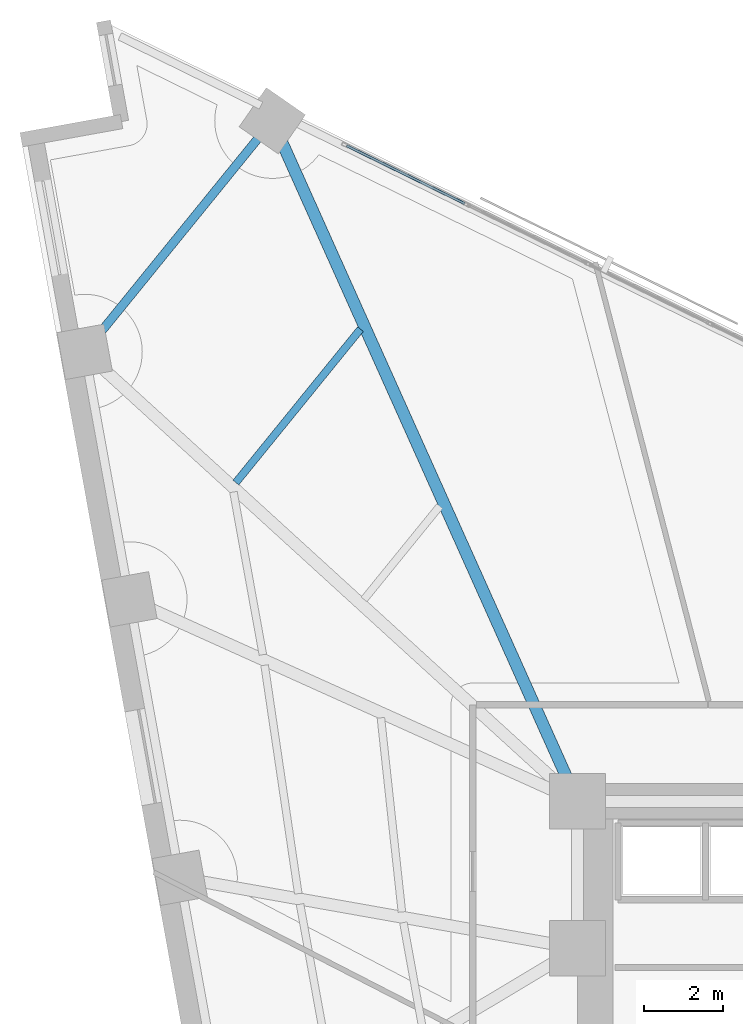
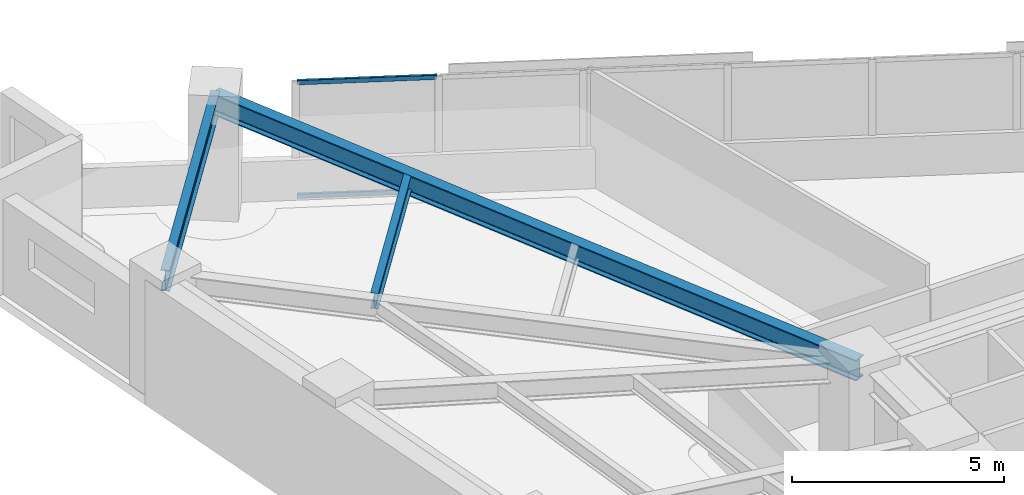
# One storey, part 9 of 19: 3 beams, 2 members, 1 element without a shape of its own.
"""IFC4 building model written with IfcOpenShell, lengths in metres."""

from ifc_helpers import new_model, si_unit, direction, frame, origin, origin_2d, place, context, subcontext, project, spatial, hollow_rectangle, i_section, extrude, material, material_profile, profile_set, type_object, element, aggregate, save


model = new_model("IFC4")

# Units and contexts
model_context = context("Model", 3, precision=1e-05, world=origin(), true_north=direction((0.0, 1.0)))
body_context = subcontext(model_context, "Body", "Model", "MODEL_VIEW")
ifc_project = project(units=[si_unit("LENGTHUNIT", "METRE"), si_unit("AREAUNIT", "SQUARE_METRE"), si_unit("VOLUMEUNIT", "CUBIC_METRE"), si_unit("PLANEANGLEUNIT", "RADIAN"), si_unit("MASSUNIT", "GRAM", prefix="KILO")], contexts=[model_context])

# Site, building, storey
site_placement = place(None, origin())
site = spatial("IfcSite", under=ifc_project, at=site_placement, CompositionType="ELEMENT")
building_placement = place(site_placement, origin())
building = spatial("IfcBuilding", under=site, at=building_placement, Name="Narakoshi Arena Tower", CompositionType="ELEMENT")
storey_placement = place(building_placement, frame((0.0, 0.0, 113.699951171875)))
storey = spatial("IfcBuildingStorey", under=building, at=storey_placement, Name="L30", CompositionType="ELEMENT", Elevation=113.699951171875)

# Beams
ifc_material_1 = material(Name="Structural steel S355J2", Category="steel")
ifc_material_profile_1 = material_profile(ifc_material_1, i_section(OverallWidth=0.219970703125, OverallDepth=0.60009765625, WebThickness=0.011962890625, FlangeThickness=0.01904296875, FilletRadius=0.02392578125, at=origin_2d()), Name="IPE600")
ifc_profile_set_1 = profile_set([ifc_material_profile_1], Name="Structural steel S355J2")
beam_type_1 = type_object("IfcBeamType", Name="BM-EDGE-600", PredefinedType="BEAM", material=ifc_profile_set_1)
beam_1_placement = place(storey_placement, frame((64.31787109375, 73.633056640625, 3.0400390625), z_axis=(-0.630427035182, -0.776248512598, 0.0), x_axis=(0.776248512598, -0.630427035182, 0.0)))
element("IfcBeam", 1, at=beam_1_placement, inside=storey, type_object=beam_type_1, Name="L30 Perimeter Edge Girder 09", PredefinedType="BEAM", context=body_context, shape_type="SweptSolid", body=[
    extrude(i_section(OverallWidth=0.219970703125, OverallDepth=0.60009765625, WebThickness=0.011962890625, FlangeThickness=0.01904296875, FilletRadius=0.02392578125, at=origin_2d()), origin(), (0.0, 0.0, 1.0), 7.493896484375),
])
ifc_material_profile_2 = material_profile(ifc_material_1, i_section(OverallWidth=0.300048828125, OverallDepth=0.60009765625, WebThickness=0.015380859375, FlangeThickness=0.030029296875, FilletRadius=0.027099609375, at=origin_2d()), Name="HE600B")
ifc_profile_set_2 = profile_set([ifc_material_profile_2], Name="Structural steel S355J2")
beam_type_2 = type_object("IfcBeamType", Name="BM-PRI-600", PredefinedType="BEAM", material=ifc_profile_set_2)
beam_2_placement = place(storey_placement, frame((72.0, 56.5, 3.0400390625), z_axis=(-0.409135423529, 0.91247367371, 0.0), x_axis=(-0.91247367371, -0.409135423529, 0.0)))
element("IfcBeam", 2, at=beam_2_placement, inside=storey, type_object=beam_type_2, Name="L30 Radial Primary Floor Girder 09", PredefinedType="BEAM", context=body_context, shape_type="SweptSolid", body=[
    extrude(i_section(OverallWidth=0.300048828125, OverallDepth=0.60009765625, WebThickness=0.015380859375, FlangeThickness=0.030029296875, FilletRadius=0.027099609375, at=origin_2d()), origin(), (0.0, 0.0, 1.0), 18.776611328125),
])
ifc_material_profile_3 = material_profile(ifc_material_1, i_section(OverallWidth=0.18994140625, OverallDepth=0.449951171875, WebThickness=0.009521484375, FlangeThickness=0.0146484375, FilletRadius=0.02099609375, at=origin_2d()), Name="IPE450")
ifc_profile_set_3 = profile_set([ifc_material_profile_3], Name="Structural steel S355J2")
beam_type_3 = type_object("IfcBeamType", Name="BM-SEC-450", PredefinedType="JOIST", material=ifc_profile_set_3)
beam_3_placement = place(storey_placement, frame((66.537353515625, 68.38818359375, 3.114990234375), z_axis=(-0.630422662324, -0.776252063977, 0.0), x_axis=(0.776252063977, -0.630422662324, 0.0)))
element("IfcBeam", 3, at=beam_3_placement, inside=storey, type_object=beam_type_3, Name="L30 Composite Secondary Floor Joist 10", PredefinedType="JOIST", context=body_context, shape_type="SweptSolid", body=[
    extrude(i_section(OverallWidth=0.18994140625, OverallDepth=0.449951171875, WebThickness=0.009521484375, FlangeThickness=0.0146484375, FilletRadius=0.02099609375, at=origin_2d()), origin(), (0.0, 0.0, 1.0), 4.9755859375),
])

# Curtain wall, members
ifc_material_2 = material(Name="Anodised bronze aluminium 6063-T6", Category="aluminium")
curtain_wall_type = type_object("IfcCurtainWallType", Name="CW-HYP-LOW", PredefinedType="NOTDEFINED", material=ifc_material_2)
curtain_wall_placement = place(storey_placement, origin())
curtain_wall = element("IfcCurtainWall", 4, at=curtain_wall_placement, inside=storey, type_object=curtain_wall_type, Name="L30 Folded Hypotenuse Curtain Wall 2-1", PredefinedType="NOTDEFINED")
ifc_material_profile_4 = material_profile(ifc_material_2, hollow_rectangle(XDim=0.06494140625, YDim=0.1298828125, WallThickness=0.00390625, OuterFilletRadius=0.0048828125, at=origin_2d()), Name="TRN130x65x4")
ifc_profile_set_4 = profile_set([ifc_material_profile_4], Name="Anodised bronze aluminium 6063-T6")
member_type = type_object("IfcMemberType", Name="MEM-TRN-130", PredefinedType="USERDEFINED", material=ifc_profile_set_4)
member_1_placement = place(storey_placement, frame((69.1591796875, 71.55029296875, 0.032470703125), z_axis=(-0.898012158644, 0.439970638711, 0.0), x_axis=(-0.439970638711, -0.898012158644, 0.0)))
member_1 = element("IfcMember", 5, at=member_1_placement, type_object=member_type, Name="CW-01 transom 7.1", ObjectType="TRANSOM", PredefinedType="USERDEFINED", context=body_context, shape_type="SweptSolid", body=[
    extrude(hollow_rectangle(XDim=0.06494140625, YDim=0.1298828125, WallThickness=0.00390625, OuterFilletRadius=0.0048828125, at=origin_2d()), origin(), (0.0, 0.0, 1.0), 3.31005859375),
])
member_2_placement = place(storey_placement, frame((69.1591796875, 71.55029296875, 3.3076171875), z_axis=(-0.898012158644, 0.439970638711, 0.0), x_axis=(-0.439970638711, -0.898012158644, 0.0)))
member_2 = element("IfcMember", 6, at=member_2_placement, type_object=member_type, Name="CW-01 transom 7.2", ObjectType="TRANSOM", PredefinedType="USERDEFINED", context=body_context, shape_type="SweptSolid", body=[
    extrude(hollow_rectangle(XDim=0.06494140625, YDim=0.1298828125, WallThickness=0.00390625, OuterFilletRadius=0.0048828125, at=origin_2d()), origin(), (0.0, 0.0, 1.0), 3.31005859375),
])
aggregate(curtain_wall, [member_1, member_2])

save(model, "model.ifc")
